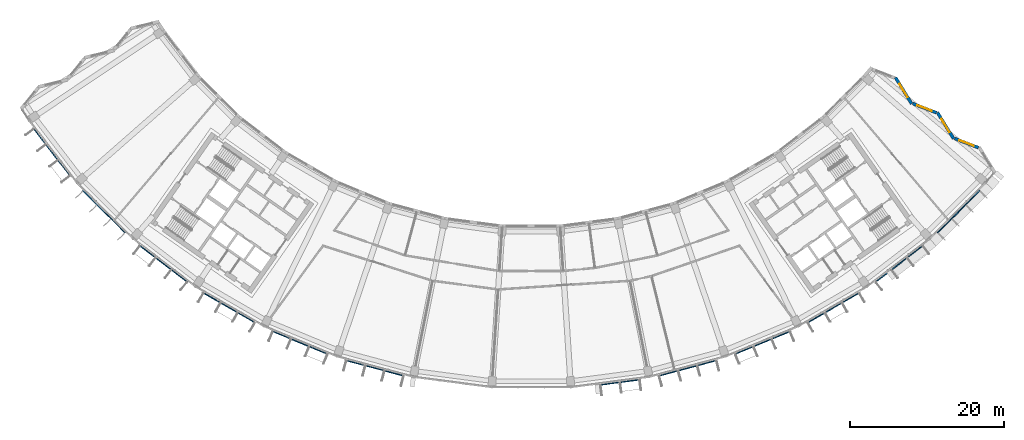
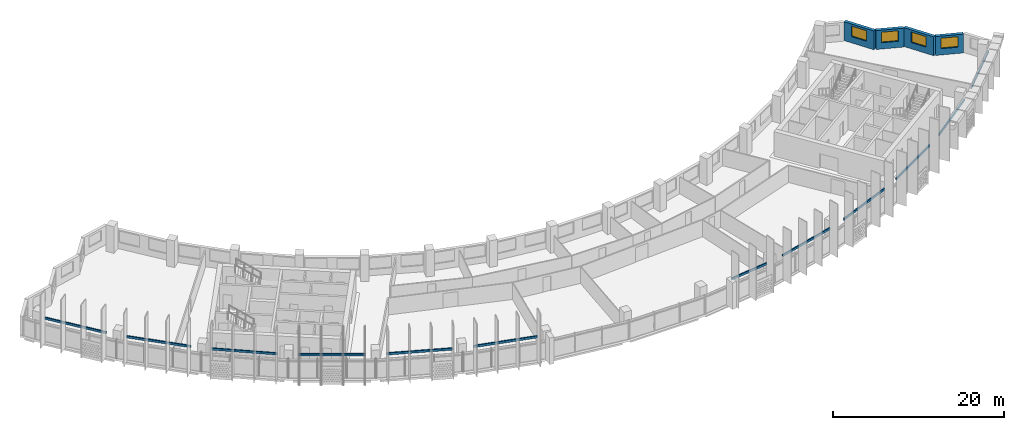
# One storey, part 8 of 27: 12 discrete accessories, 4 walls, 4 windows, 4 openings.
"""IFC4 building model written with IfcOpenShell, lengths in metres."""

import ifcopenshell
import ifcopenshell.guid

model = None  # the IFC model being written
_history = None  # IfcOwnerHistory: only IFC2X3 demands one
_inside = {}  # id of a spatial element -> (the spatial element, [elements in it])
_under = {}  # id of a project, library or spatial element -> (it, [spatial elements below it])
_declared = {}  # id of a project -> (the project, [libraries it declares])
_typed = {}  # id of a type object -> (the type object, [elements of that type])
_made_of = {}  # id of a material, layer set ... -> (it, [elements and type objects made of it])


def new_model(schema):
    """Start an empty IFC model of exactly this schema.

    Asked for "IFC4X3", IfcOpenShell would pick the latest addendum, in which some entities
    have other attributes; the version numbers below select the first issue.
    IFC2X3 requires an IfcOwnerHistory on every rooted entity: one is made here for all.
    """
    global model, _history
    if schema == "IFC4X3":
        model = ifcopenshell.file(schema_version=(4, 3, 0, 0))
    else:
        model = ifcopenshell.file(schema=schema)
    _inside.clear()
    _under.clear()
    _declared.clear()
    _typed.clear()
    _made_of.clear()
    _history = None
    if model.schema == "IFC2X3":
        org = make("IfcOrganization", Name="unknown")
        user = make(
            "IfcPersonAndOrganization",
            ThePerson=make("IfcPerson", FamilyName="unknown"),
            TheOrganization=org,
        )
        app = make(
            "IfcApplication",
            ApplicationDeveloper=org,
            Version="unknown",
            ApplicationFullName="unknown",
            ApplicationIdentifier="unknown",
        )
        _history = make(
            "IfcOwnerHistory",
            OwningUser=user,
            OwningApplication=app,
            ChangeAction="ADDED",
            CreationDate=0,
        )
    return model


def make(cls, **values):
    """One entity of the class cls with the attributes given. An attribute that is None is left unset."""
    return model.create_entity(
        cls, **{name: value for name, value in values.items() if value is not None}
    )


def rooted(cls, **values):
    """An entity with a GlobalId (a new one), such as an element, a storey or a relation."""
    return make(cls, GlobalId=ifcopenshell.guid.new(), OwnerHistory=_history, **values)


def si_unit(unit_type, name, prefix=None):
    """IfcSIUnit, for example si_unit("LENGTHUNIT", "METRE", prefix="MILLI")."""
    return make("IfcSIUnit", UnitType=unit_type, Prefix=prefix, Name=name)


def assignment(units):
    """IfcUnitAssignment: the units of a project."""
    return None if units is None else make("IfcUnitAssignment", Units=units)


def point(xyz):
    """IfcCartesianPoint."""
    return None if xyz is None else make("IfcCartesianPoint", Coordinates=xyz)


def direction(xyz):
    """IfcDirection."""
    return None if xyz is None else make("IfcDirection", DirectionRatios=xyz)


def frame(location, z_axis=None, x_axis=None):
    """IfcAxis2Placement3D, a coordinate frame: its origin and axes. An axis left out is left unset."""
    return make(
        "IfcAxis2Placement3D",
        Location=point(location),
        Axis=direction(z_axis),
        RefDirection=direction(x_axis),
    )


def frame_2d(location, x_axis=None):
    """IfcAxis2Placement2D, a coordinate frame in the plane: its origin and x axis."""
    return make(
        "IfcAxis2Placement2D", Location=point(location), RefDirection=direction(x_axis)
    )


def origin():
    """The frame at (0, 0, 0) with its axes left unset."""
    return frame((0.0, 0.0, 0.0))


def origin_2d():
    """The frame at (0, 0) in the plane with its x axis left unset."""
    return frame_2d((0.0, 0.0))


def place(relative_to, where):
    """IfcLocalPlacement: puts the frame where relative to a parent placement (None: the world)."""
    return make(
        "IfcLocalPlacement", PlacementRelTo=relative_to, RelativePlacement=where
    )


def context(
    kind, dimensions, precision=None, world=None, true_north=None, identifier=None
):
    """IfcGeometricRepresentationContext, for example the 3D "Model" context."""
    return make(
        "IfcGeometricRepresentationContext",
        ContextIdentifier=identifier,
        ContextType=kind,
        CoordinateSpaceDimension=dimensions,
        Precision=precision,
        WorldCoordinateSystem=world,
        TrueNorth=true_north,
    )


def subcontext(parent, identifier, kind, view, scale=None):
    """IfcGeometricRepresentationSubContext, for example "Body" below "Model"."""
    return make(
        "IfcGeometricRepresentationSubContext",
        ContextIdentifier=identifier,
        ContextType=kind,
        ParentContext=parent,
        TargetScale=scale,
        TargetView=view,
    )


def project(units=None, contexts=None):
    """IfcProject with its units and contexts."""
    return rooted(
        "IfcProject",
        Name="project",
        RepresentationContexts=contexts,
        UnitsInContext=assignment(units),
    )


def spatial(cls, under=None, at=None, **own):
    """A site, building, storey or space (cls), placed at a placement, below another one or the project."""
    s = rooted(cls, ObjectPlacement=at, **own)
    if under is not None:
        _under.setdefault(under.id(), (under, []))[1].append(s)
    return s


def profile(cls, at=None, kind="AREA", **sizes):
    """A parametric profile (cls). Its sizes go by their IFC names, for example OverallWidth=200.0."""
    return make(cls, ProfileType=kind, Position=at, **sizes)


def rectangle(**sizes):
    """IfcRectangleProfileDef."""
    return profile("IfcRectangleProfileDef", **sizes)


def extrude(swept, where, along, depth):
    """IfcExtrudedAreaSolid: the profile swept, set in the frame where, extruded along a direction by depth."""
    return make(
        "IfcExtrudedAreaSolid",
        SweptArea=swept,
        Position=where,
        ExtrudedDirection=direction(along),
        Depth=depth,
    )


def shape(context_of_items, identifier, shape_type, items):
    """IfcShapeRepresentation: the items that make up one representation, for example the "Body"."""
    return make(
        "IfcShapeRepresentation",
        ContextOfItems=context_of_items,
        RepresentationIdentifier=identifier,
        RepresentationType=shape_type,
        Items=items,
    )


def material(Name=None, Category=None):
    """IfcMaterial."""
    return make("IfcMaterial", Name=Name, Category=Category)


def layer(
    of_material, thickness, ventilated=None, Name=None, Category=None, Priority=None
):
    """IfcMaterialLayer: one layer of a wall or slab, of a material (None: an air gap)."""
    return make(
        "IfcMaterialLayer",
        Material=of_material,
        LayerThickness=thickness,
        IsVentilated=ventilated,
        Name=Name,
        Category=Category,
        Priority=Priority,
    )


def layer_set(layers, Name=None):
    """IfcMaterialLayerSet."""
    return make("IfcMaterialLayerSet", MaterialLayers=layers, LayerSetName=Name)


def made_of(thing, what):
    """Note that an element or type object is made of a material, layer set ...; save() writes the relation."""
    if what is not None:
        _made_of.setdefault(what.id(), (what, []))[1].append(thing)
    return thing


def type_object(cls, material=None, **own):
    """A type object (cls), such as IfcWallType, which elements share."""
    return made_of(rooted(cls, **own), material)


def element(
    cls,
    number,
    at=None,
    inside=None,
    cuts=None,
    type_object=None,
    material=None,
    context=None,
    identifier="Body",
    shape_type=None,
    held_by="IfcProductDefinitionShape",
    body=None,
    shapes=None,
    **own,
):
    """One element of the class cls, such as IfcWall. Its Tag is "e" and its number.

    at: its placement. inside: the storey or other place that contains it. cuts: it is an
    opening in that element (IfcRelVoidsElement). A single representation is given by context,
    identifier, shape_type and body (its items); several are given by shapes. held_by: the class
    of the entity that holds the representations. save() writes the other relations.
    """
    e = rooted(cls, Tag="e%d" % number, ObjectPlacement=at, **own)
    if body is not None:
        shapes = [shape(context, identifier, shape_type, body)]
    if shapes is not None:
        e.Representation = make(held_by, Representations=shapes)
    if inside is not None:
        _inside.setdefault(inside.id(), (inside, []))[1].append(e)
    if cuts is not None:
        rooted(
            "IfcRelVoidsElement", RelatingBuildingElement=cuts, RelatedOpeningElement=e
        )
    if type_object is not None:
        _typed.setdefault(type_object.id(), (type_object, []))[1].append(e)
    return made_of(e, material)


def fill(opening, filler):
    """IfcRelFillsElement: the door or window that sits in an opening."""
    return rooted(
        "IfcRelFillsElement",
        RelatingOpeningElement=opening,
        RelatedBuildingElement=filler,
    )


def aggregate(whole, parts):
    """IfcRelAggregates: a whole, such as a stair, and the parts it consists of."""
    return rooted("IfcRelAggregates", RelatingObject=whole, RelatedObjects=parts)


def save(model, path):
    """Write the relations noted so far, then the file.

    IfcRelAggregates (storeys below a building ...), IfcRelContainedInSpatialStructure (elements
    in a storey), IfcRelDefinesByType, IfcRelAssociatesMaterial and IfcRelDeclares: one each for
    every whole, place, type object, material and project.
    """
    for whole, parts in _under.values():
        aggregate(whole, parts)
    for where, things in _inside.values():
        rooted(
            "IfcRelContainedInSpatialStructure",
            RelatedElements=things,
            RelatingStructure=where,
        )
    for kind, things in _typed.values():
        rooted("IfcRelDefinesByType", RelatedObjects=things, RelatingType=kind)
    for what, things in _made_of.values():
        rooted("IfcRelAssociatesMaterial", RelatedObjects=things, RelatingMaterial=what)
    for by, libraries in _declared.values():
        rooted("IfcRelDeclares", RelatingContext=by, RelatedDefinitions=libraries)
    model.write(path)


model = new_model("IFC4")

# Units and contexts
model_context = context("Model", 3, precision=1e-05, world=origin(), true_north=direction((0.0, 1.0)))
body_context = subcontext(model_context, "Body", "Model", "MODEL_VIEW")
ifc_project = project(units=[si_unit("LENGTHUNIT", "METRE"), si_unit("AREAUNIT", "SQUARE_METRE"), si_unit("VOLUMEUNIT", "CUBIC_METRE"), si_unit("PLANEANGLEUNIT", "RADIAN"), si_unit("MASSUNIT", "GRAM", prefix="KILO")], contexts=[model_context])

# Site, building, storey
site_placement = place(None, origin())
site = spatial("IfcSite", under=ifc_project, at=site_placement, CompositionType="ELEMENT")
building_placement = place(site_placement, origin())
building = spatial("IfcBuilding", under=site, at=building_placement, Name="Qamariyya Broadcast Tower", CompositionType="ELEMENT")
storey_placement = place(building_placement, frame((0.0, 0.0, 211.300048828125)))
storey = spatial("IfcBuildingStorey", under=building, at=storey_placement, Name="L50", CompositionType="ELEMENT", Elevation=211.300048828125)

# Wall, opening, window
ifc_material_1 = material(Name="Terracotta", Category="masonry")
ifc_layer = layer(ifc_material_1, 0.39990234375)
ifc_layer_set = layer_set([ifc_layer], Name="Terracotta clad wall 400")
wall_type = type_object("IfcWallType", Name="Terracotta clad wall 400", PredefinedType="SOLIDWALL", material=ifc_layer_set)
wall_1_placement = place(storey_placement, frame((58.124267578125, -47.225830078125, 0.0), z_axis=(0.0, 0.0, 1.0), x_axis=(-0.933128428699, 0.359543231828, 0.0)))
wall_1 = element("IfcWall", 1, at=wall_1_placement, inside=storey, type_object=wall_type, Name="e-wl-L50-capE1", PredefinedType="SOLIDWALL", context=body_context, shape_type="SweptSolid", body=[
    extrude(rectangle(XDim=3.305419921875, YDim=0.39990234375, at=frame_2d((1.65283203125, 0.0))), origin(), (0.0, 0.0, 1.0), 2.699951171875),
])
opening_1_placement = place(wall_1_placement, frame((0.652587890625, 0.0, 0.89990234375)))
opening_1 = element("IfcOpeningElement", 2, at=opening_1_placement, cuts=wall_1, Name="Opening W4", PredefinedType="OPENING", context=body_context, shape_type="SweptSolid", body=[
    extrude(rectangle(XDim=2.0, YDim=1.5, at=frame_2d((1.0, 0.75))), frame((0.0, 0.2099609375, 0.0), z_axis=(0.0, -1.0, 0.0), x_axis=(1.0, 0.0, 0.0)), (0.0, 0.0, 1.0), 0.419921875),
])
ifc_material_2 = material(Name="Clear low-e double glazed unit in aluminium frame", Category="aluminium")
window_type = type_object("IfcWindowType", Name="Horn bay window 2000 x 1500", PartitioningType="SINGLE_PANEL", PredefinedType="WINDOW", material=ifc_material_2)
window_1_placement = place(opening_1_placement, origin())
window_1 = element("IfcWindow", 3, at=window_1_placement, inside=storey, type_object=window_type, Name="e-w-L50-capE1", OverallHeight=1.5, OverallWidth=2.0, PartitioningType="SINGLE_PANEL", PredefinedType="WINDOW", context=body_context, shape_type="SweptSolid", body=[
    extrude(rectangle(XDim=2.0, YDim=1.5, at=frame_2d((1.0, 0.75))), frame((0.0, 0.030029296875, 0.0), z_axis=(0.0, -1.0, 0.0), x_axis=(1.0, 0.0, 0.0)), (0.0, 0.0, 1.0), 0.06005859375),
])
fill(opening_1, window_1)

wall_2_placement = place(storey_placement, frame((54.90087890625, -46.061767578125, 0.0), z_axis=(0.0, 0.0, 1.0), x_axis=(-0.523698691725, 0.851903562785, 0.0)))
wall_2 = element("IfcWall", 4, at=wall_2_placement, inside=storey, type_object=wall_type, Name="e-wl-L50-capE2", PredefinedType="SOLIDWALL", context=body_context, shape_type="SweptSolid", body=[
    extrude(rectangle(XDim=3.99755859375, YDim=0.39990234375, at=frame_2d((1.998779296875, 0.0))), origin(), (0.0, 0.0, 1.0), 2.699951171875),
])
opening_2_placement = place(wall_2_placement, frame((0.998779296875, 0.0, 0.89990234375)))
opening_2 = element("IfcOpeningElement", 5, at=opening_2_placement, cuts=wall_2, Name="Opening W4", PredefinedType="OPENING", context=body_context, shape_type="SweptSolid", body=[
    extrude(rectangle(XDim=2.0, YDim=1.5, at=frame_2d((1.0, 0.75))), frame((0.0, 0.2099609375, 0.0), z_axis=(0.0, -1.0, 0.0), x_axis=(1.0, 0.0, 0.0)), (0.0, 0.0, 1.0), 0.419921875),
])
window_2_placement = place(opening_2_placement, origin())
window_2 = element("IfcWindow", 6, at=window_2_placement, inside=storey, type_object=window_type, Name="e-w-L50-capE2", OverallHeight=1.5, OverallWidth=2.0, PartitioningType="SINGLE_PANEL", PredefinedType="WINDOW", context=body_context, shape_type="SweptSolid", body=[
    extrude(rectangle(XDim=2.0, YDim=1.5, at=frame_2d((1.0, 0.75))), frame((0.0, 0.030029296875, 0.0), z_axis=(0.0, -1.0, 0.0), x_axis=(1.0, 0.0, 0.0)), (0.0, 0.0, 1.0), 0.06005859375),
])
fill(opening_2, window_2)

wall_3_placement = place(storey_placement, frame((52.66845703125, -42.6806640625, 0.0), z_axis=(0.0, 0.0, 1.0), x_axis=(-0.93316458427, 0.359449382619, 0.0)))
wall_3 = element("IfcWall", 7, at=wall_3_placement, inside=storey, type_object=wall_type, Name="e-wl-L50-capE3", PredefinedType="SOLIDWALL", context=body_context, shape_type="SweptSolid", body=[
    extrude(rectangle(XDim=3.304443359375, YDim=0.39990234375, at=frame_2d((1.65234375, 0.0))), origin(), (0.0, 0.0, 1.0), 2.699951171875),
])
opening_3_placement = place(wall_3_placement, frame((0.652099609375, 0.0, 0.89990234375)))
opening_3 = element("IfcOpeningElement", 8, at=opening_3_placement, cuts=wall_3, Name="Opening W4", PredefinedType="OPENING", context=body_context, shape_type="SweptSolid", body=[
    extrude(rectangle(XDim=2.0, YDim=1.5, at=frame_2d((1.0, 0.75))), frame((0.0, 0.2099609375, 0.0), z_axis=(0.0, -1.0, 0.0), x_axis=(1.0, 0.0, 0.0)), (0.0, 0.0, 1.0), 0.419921875),
])
window_3_placement = place(opening_3_placement, origin())
window_3 = element("IfcWindow", 9, at=window_3_placement, inside=storey, type_object=window_type, Name="e-w-L50-capE3", OverallHeight=1.5, OverallWidth=2.0, PartitioningType="SINGLE_PANEL", PredefinedType="WINDOW", context=body_context, shape_type="SweptSolid", body=[
    extrude(rectangle(XDim=2.0, YDim=1.5, at=frame_2d((1.0, 0.75))), frame((0.0, 0.030029296875, 0.0), z_axis=(0.0, -1.0, 0.0), x_axis=(1.0, 0.0, 0.0)), (0.0, 0.0, 1.0), 0.06005859375),
])
fill(opening_3, window_3)

wall_4_placement = place(storey_placement, frame((49.44580078125, -41.517333984375, 0.0), z_axis=(0.0, 0.0, 1.0), x_axis=(-0.523749905478, 0.851872077551, 0.0)))
wall_4 = element("IfcWall", 10, at=wall_4_placement, inside=storey, type_object=wall_type, Name="e-wl-L50-capE4", PredefinedType="SOLIDWALL", context=body_context, shape_type="SweptSolid", body=[
    extrude(rectangle(XDim=3.99853515625, YDim=0.39990234375, at=frame_2d((1.999267578125, 0.0))), origin(), (0.0, 0.0, 1.0), 2.699951171875),
])
opening_4_placement = place(wall_4_placement, frame((0.999267578125, 0.0, 0.89990234375)))
opening_4 = element("IfcOpeningElement", 11, at=opening_4_placement, cuts=wall_4, Name="Opening W4", PredefinedType="OPENING", context=body_context, shape_type="SweptSolid", body=[
    extrude(rectangle(XDim=2.0, YDim=1.5, at=frame_2d((1.0, 0.75))), frame((0.0, 0.2099609375, 0.0), z_axis=(0.0, -1.0, 0.0), x_axis=(1.0, 0.0, 0.0)), (0.0, 0.0, 1.0), 0.419921875),
])
window_4_placement = place(opening_4_placement, origin())
window_4 = element("IfcWindow", 12, at=window_4_placement, inside=storey, type_object=window_type, Name="e-w-L50-capE4", OverallHeight=1.5, OverallWidth=2.0, PartitioningType="SINGLE_PANEL", PredefinedType="WINDOW", context=body_context, shape_type="SweptSolid", body=[
    extrude(rectangle(XDim=2.0, YDim=1.5, at=frame_2d((1.0, 0.75))), frame((0.0, 0.030029296875, 0.0), z_axis=(0.0, -1.0, 0.0), x_axis=(1.0, 0.0, 0.0)), (0.0, 0.0, 1.0), 0.06005859375),
])
fill(opening_4, window_4)

# Discrete accessories
ifc_material_3 = material(Name="Stainless steel 316", Category="steel")
discrete_accessory_type = type_object("IfcDiscreteAccessoryType", Name="Slab edge fixing angle, stainless steel", PredefinedType="BRACKET", material=ifc_material_3)
for number, where, z_axis, x_axis, name in (
    (13, (-62.3232421875, -47.822265625, 3.2998046875), (0.0, 0.0, 1.0), (0.608761429009, -0.793353340291, 0.0), "e-br-L50-01-0"),
    (14, (-55.5478515625, -55.5478515625, 3.2998046875), (0.0, 0.0, 1.0), (0.707106781187, -0.707106781187, 0.0), "e-br-L50-02-0"),
    (15, (-47.822265625, -62.3232421875, 3.2998046875), (0.0, 0.0, 1.0), (0.793353340291, -0.608761429009, 0.0), "e-br-L50-03-0"),
    (16, (-39.2783203125, -68.031982421875, 3.2998046875), (0.0, 0.0, 1.0), (0.866025403784, -0.5, 0.0), "e-br-L50-04-0"),
    (17, (-30.062255859375, -72.576904296875, 3.2998046875), (0.0, 0.0, 1.0), (0.923879532511, -0.382683432365, 0.0), "e-br-L50-05-0"),
    (18, (-20.33203125, -75.8798828125, 3.2998046875), (0.0, 0.0, 1.0), (0.965925826289, -0.258819045103, 0.0), "e-br-L50-06-0"),
):
    element("IfcDiscreteAccessory", number, at=place(storey_placement, frame(where, z_axis=z_axis, x_axis=x_axis)), inside=storey, type_object=discrete_accessory_type, Name=name, PredefinedType="BRACKET", context=body_context, shape_type="SweptSolid", body=[
        extrude(rectangle(XDim=7.81591796875, YDim=0.14990234375, at=origin_2d()), origin(), (0.0, 0.0, 1.0), 0.300048828125),
    ])
discrete_accessory_placement = place(storey_placement, frame((11.528564453125, -77.716796875, 3.2998046875), z_axis=(0.0, 0.0, 1.0), x_axis=(0.991444861374, 0.13052619222, 0.0)))
element("IfcDiscreteAccessory", 19, at=discrete_accessory_placement, inside=storey, type_object=discrete_accessory_type, Name="e-br-L50-09-0", PredefinedType="BRACKET", context=body_context, shape_type="SweptSolid", body=[
    extrude(rectangle(XDim=5.243896484375, YDim=0.14990234375, at=origin_2d()), origin(), (0.0, 0.0, 1.0), 0.300048828125),
])
for number, where, z_axis, x_axis, name in (
    (20, (20.33203125, -75.8798828125, 3.2998046875), (0.0, 0.0, 1.0), (0.965925826289, 0.258819045103, 0.0), "e-br-L50-10-0"),
    (21, (30.062255859375, -72.576904296875, 3.2998046875), (0.0, 0.0, 1.0), (0.923879532511, 0.382683432365, 0.0), "e-br-L50-11-0"),
    (22, (39.2783203125, -68.031982421875, 3.2998046875), (0.0, 0.0, 1.0), (0.866025403784, 0.5, 0.0), "e-br-L50-12-0"),
    (23, (47.822265625, -62.3232421875, 3.2998046875), (0.0, 0.0, 1.0), (0.793353340291, 0.608761429009, 0.0), "e-br-L50-13-0"),
    (24, (55.5478515625, -55.5478515625, 3.2998046875), (0.0, 0.0, 1.0), (0.707106781187, 0.707106781187, 0.0), "e-br-L50-14-0"),
):
    element("IfcDiscreteAccessory", number, at=place(storey_placement, frame(where, z_axis=z_axis, x_axis=x_axis)), inside=storey, type_object=discrete_accessory_type, Name=name, PredefinedType="BRACKET", context=body_context, shape_type="SweptSolid", body=[
        extrude(rectangle(XDim=7.81591796875, YDim=0.14990234375, at=origin_2d()), origin(), (0.0, 0.0, 1.0), 0.300048828125),
    ])

save(model, "model.ifc")
